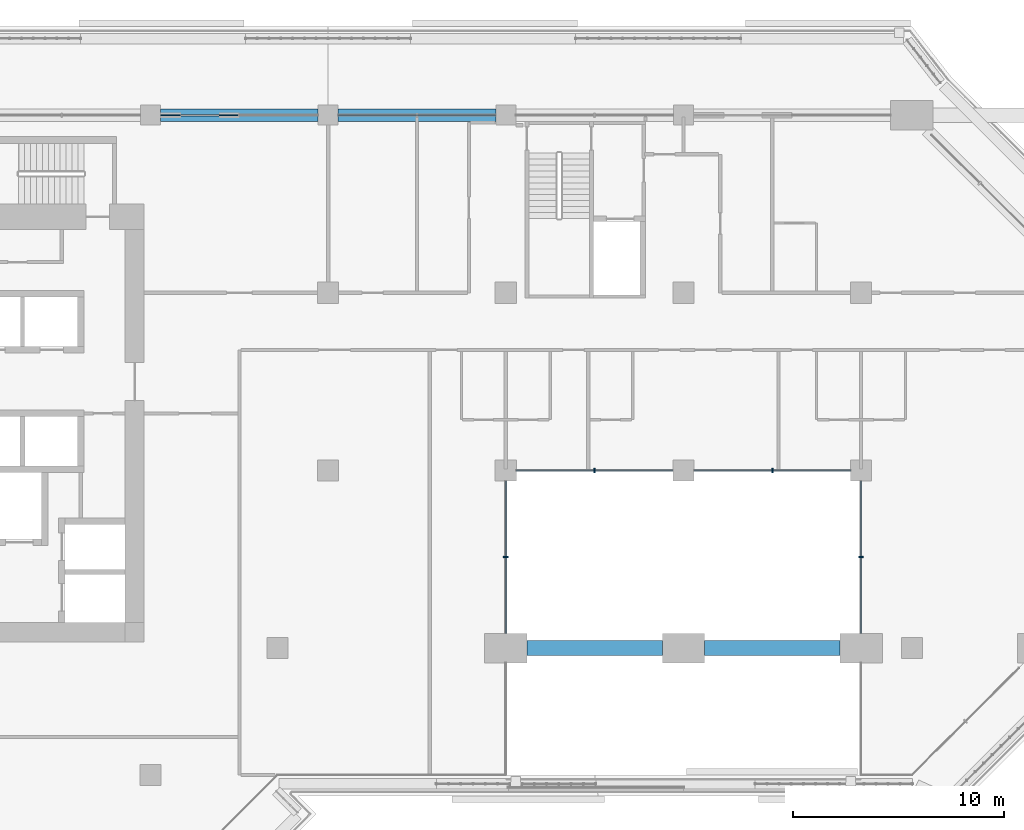
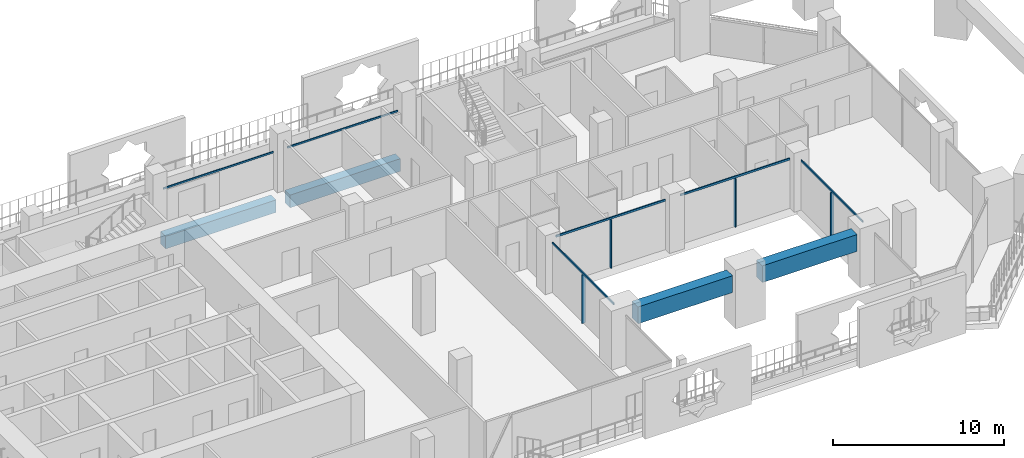
# One storey, part 6 of 23: 10 members, 4 beams, 4 elements without a shape of their own.
"""IFC4 building model written with IfcOpenShell, lengths in metres."""

import ifcopenshell
import ifcopenshell.guid

model = None  # the IFC model being written
_history = None  # IfcOwnerHistory: only IFC2X3 demands one
_inside = {}  # id of a spatial element -> (the spatial element, [elements in it])
_under = {}  # id of a project, library or spatial element -> (it, [spatial elements below it])
_declared = {}  # id of a project -> (the project, [libraries it declares])
_typed = {}  # id of a type object -> (the type object, [elements of that type])
_made_of = {}  # id of a material, layer set ... -> (it, [elements and type objects made of it])


def new_model(schema):
    """Start an empty IFC model of exactly this schema.

    Asked for "IFC4X3", IfcOpenShell would pick the latest addendum, in which some entities
    have other attributes; the version numbers below select the first issue.
    IFC2X3 requires an IfcOwnerHistory on every rooted entity: one is made here for all.
    """
    global model, _history
    if schema == "IFC4X3":
        model = ifcopenshell.file(schema_version=(4, 3, 0, 0))
    else:
        model = ifcopenshell.file(schema=schema)
    _inside.clear()
    _under.clear()
    _declared.clear()
    _typed.clear()
    _made_of.clear()
    _history = None
    if model.schema == "IFC2X3":
        org = make("IfcOrganization", Name="unknown")
        user = make(
            "IfcPersonAndOrganization",
            ThePerson=make("IfcPerson", FamilyName="unknown"),
            TheOrganization=org,
        )
        app = make(
            "IfcApplication",
            ApplicationDeveloper=org,
            Version="unknown",
            ApplicationFullName="unknown",
            ApplicationIdentifier="unknown",
        )
        _history = make(
            "IfcOwnerHistory",
            OwningUser=user,
            OwningApplication=app,
            ChangeAction="ADDED",
            CreationDate=0,
        )
    return model


def make(cls, **values):
    """One entity of the class cls with the attributes given. An attribute that is None is left unset."""
    return model.create_entity(
        cls, **{name: value for name, value in values.items() if value is not None}
    )


def rooted(cls, **values):
    """An entity with a GlobalId (a new one), such as an element, a storey or a relation."""
    return make(cls, GlobalId=ifcopenshell.guid.new(), OwnerHistory=_history, **values)


def si_unit(unit_type, name, prefix=None):
    """IfcSIUnit, for example si_unit("LENGTHUNIT", "METRE", prefix="MILLI")."""
    return make("IfcSIUnit", UnitType=unit_type, Prefix=prefix, Name=name)


def assignment(units):
    """IfcUnitAssignment: the units of a project."""
    return None if units is None else make("IfcUnitAssignment", Units=units)


def point(xyz):
    """IfcCartesianPoint."""
    return None if xyz is None else make("IfcCartesianPoint", Coordinates=xyz)


def direction(xyz):
    """IfcDirection."""
    return None if xyz is None else make("IfcDirection", DirectionRatios=xyz)


def frame(location, z_axis=None, x_axis=None):
    """IfcAxis2Placement3D, a coordinate frame: its origin and axes. An axis left out is left unset."""
    return make(
        "IfcAxis2Placement3D",
        Location=point(location),
        Axis=direction(z_axis),
        RefDirection=direction(x_axis),
    )


def frame_2d(location, x_axis=None):
    """IfcAxis2Placement2D, a coordinate frame in the plane: its origin and x axis."""
    return make(
        "IfcAxis2Placement2D", Location=point(location), RefDirection=direction(x_axis)
    )


def origin():
    """The frame at (0, 0, 0) with its axes left unset."""
    return frame((0.0, 0.0, 0.0))


def origin_2d():
    """The frame at (0, 0) in the plane with its x axis left unset."""
    return frame_2d((0.0, 0.0))


def place(relative_to, where):
    """IfcLocalPlacement: puts the frame where relative to a parent placement (None: the world)."""
    return make(
        "IfcLocalPlacement", PlacementRelTo=relative_to, RelativePlacement=where
    )


def context(
    kind, dimensions, precision=None, world=None, true_north=None, identifier=None
):
    """IfcGeometricRepresentationContext, for example the 3D "Model" context."""
    return make(
        "IfcGeometricRepresentationContext",
        ContextIdentifier=identifier,
        ContextType=kind,
        CoordinateSpaceDimension=dimensions,
        Precision=precision,
        WorldCoordinateSystem=world,
        TrueNorth=true_north,
    )


def subcontext(parent, identifier, kind, view, scale=None):
    """IfcGeometricRepresentationSubContext, for example "Body" below "Model"."""
    return make(
        "IfcGeometricRepresentationSubContext",
        ContextIdentifier=identifier,
        ContextType=kind,
        ParentContext=parent,
        TargetScale=scale,
        TargetView=view,
    )


def project(units=None, contexts=None):
    """IfcProject with its units and contexts."""
    return rooted(
        "IfcProject",
        Name="project",
        RepresentationContexts=contexts,
        UnitsInContext=assignment(units),
    )


def spatial(cls, under=None, at=None, **own):
    """A site, building, storey or space (cls), placed at a placement, below another one or the project."""
    s = rooted(cls, ObjectPlacement=at, **own)
    if under is not None:
        _under.setdefault(under.id(), (under, []))[1].append(s)
    return s


def profile(cls, at=None, kind="AREA", **sizes):
    """A parametric profile (cls). Its sizes go by their IFC names, for example OverallWidth=200.0."""
    return make(cls, ProfileType=kind, Position=at, **sizes)


def rectangle(**sizes):
    """IfcRectangleProfileDef."""
    return profile("IfcRectangleProfileDef", **sizes)


def extrude(swept, where, along, depth):
    """IfcExtrudedAreaSolid: the profile swept, set in the frame where, extruded along a direction by depth."""
    return make(
        "IfcExtrudedAreaSolid",
        SweptArea=swept,
        Position=where,
        ExtrudedDirection=direction(along),
        Depth=depth,
    )


def shape(context_of_items, identifier, shape_type, items):
    """IfcShapeRepresentation: the items that make up one representation, for example the "Body"."""
    return make(
        "IfcShapeRepresentation",
        ContextOfItems=context_of_items,
        RepresentationIdentifier=identifier,
        RepresentationType=shape_type,
        Items=items,
    )


def material(Name=None, Category=None):
    """IfcMaterial."""
    return make("IfcMaterial", Name=Name, Category=Category)


def layer(
    of_material, thickness, ventilated=None, Name=None, Category=None, Priority=None
):
    """IfcMaterialLayer: one layer of a wall or slab, of a material (None: an air gap)."""
    return make(
        "IfcMaterialLayer",
        Material=of_material,
        LayerThickness=thickness,
        IsVentilated=ventilated,
        Name=Name,
        Category=Category,
        Priority=Priority,
    )


def layer_set(layers, Name=None):
    """IfcMaterialLayerSet."""
    return make("IfcMaterialLayerSet", MaterialLayers=layers, LayerSetName=Name)


def material_profile(
    of_material, cross_section, Name=None, Category=None, Priority=None
):
    """IfcMaterialProfile: a cross section and its material."""
    return make(
        "IfcMaterialProfile",
        Name=Name,
        Material=of_material,
        Profile=cross_section,
        Priority=Priority,
        Category=Category,
    )


def profile_set(profiles, Name=None, composite=None):
    """IfcMaterialProfileSet."""
    return make(
        "IfcMaterialProfileSet",
        Name=Name,
        MaterialProfiles=profiles,
        CompositeProfile=composite,
    )


def made_of(thing, what):
    """Note that an element or type object is made of a material, layer set ...; save() writes the relation."""
    if what is not None:
        _made_of.setdefault(what.id(), (what, []))[1].append(thing)
    return thing


def type_object(cls, material=None, **own):
    """A type object (cls), such as IfcWallType, which elements share."""
    return made_of(rooted(cls, **own), material)


def element(
    cls,
    number,
    at=None,
    inside=None,
    cuts=None,
    type_object=None,
    material=None,
    context=None,
    identifier="Body",
    shape_type=None,
    held_by="IfcProductDefinitionShape",
    body=None,
    shapes=None,
    **own,
):
    """One element of the class cls, such as IfcWall. Its Tag is "e" and its number.

    at: its placement. inside: the storey or other place that contains it. cuts: it is an
    opening in that element (IfcRelVoidsElement). A single representation is given by context,
    identifier, shape_type and body (its items); several are given by shapes. held_by: the class
    of the entity that holds the representations. save() writes the other relations.
    """
    e = rooted(cls, Tag="e%d" % number, ObjectPlacement=at, **own)
    if body is not None:
        shapes = [shape(context, identifier, shape_type, body)]
    if shapes is not None:
        e.Representation = make(held_by, Representations=shapes)
    if inside is not None:
        _inside.setdefault(inside.id(), (inside, []))[1].append(e)
    if cuts is not None:
        rooted(
            "IfcRelVoidsElement", RelatingBuildingElement=cuts, RelatedOpeningElement=e
        )
    if type_object is not None:
        _typed.setdefault(type_object.id(), (type_object, []))[1].append(e)
    return made_of(e, material)


def aggregate(whole, parts):
    """IfcRelAggregates: a whole, such as a stair, and the parts it consists of."""
    return rooted("IfcRelAggregates", RelatingObject=whole, RelatedObjects=parts)


def save(model, path):
    """Write the relations noted so far, then the file.

    IfcRelAggregates (storeys below a building ...), IfcRelContainedInSpatialStructure (elements
    in a storey), IfcRelDefinesByType, IfcRelAssociatesMaterial and IfcRelDeclares: one each for
    every whole, place, type object, material and project.
    """
    for whole, parts in _under.values():
        aggregate(whole, parts)
    for where, things in _inside.values():
        rooted(
            "IfcRelContainedInSpatialStructure",
            RelatedElements=things,
            RelatingStructure=where,
        )
    for kind, things in _typed.values():
        rooted("IfcRelDefinesByType", RelatedObjects=things, RelatingType=kind)
    for what, things in _made_of.values():
        rooted("IfcRelAssociatesMaterial", RelatedObjects=things, RelatingMaterial=what)
    for by, libraries in _declared.values():
        rooted("IfcRelDeclares", RelatingContext=by, RelatedDefinitions=libraries)
    model.write(path)


model = new_model("IFC4")

# Units and contexts
model_context = context("Model", 3, precision=1e-05, world=origin(), true_north=direction((0.0, 1.0)))
body_context = subcontext(model_context, "Body", "Model", "MODEL_VIEW")
ifc_project = project(units=[si_unit("LENGTHUNIT", "METRE"), si_unit("AREAUNIT", "SQUARE_METRE"), si_unit("VOLUMEUNIT", "CUBIC_METRE"), si_unit("PLANEANGLEUNIT", "RADIAN"), si_unit("MASSUNIT", "GRAM", prefix="KILO")], contexts=[model_context])

# Site, building, storey
site_placement = place(None, origin())
site = spatial("IfcSite", under=ifc_project, at=site_placement, CompositionType="ELEMENT")
building_placement = place(site_placement, origin())
building = spatial("IfcBuilding", under=site, at=building_placement, Name="Kawkab Arch Medical Tower", CompositionType="ELEMENT")
storey_placement = place(building_placement, frame((0.0, 0.0, 166.800048828125)))
storey = spatial("IfcBuildingStorey", under=building, at=storey_placement, Name="L38", CompositionType="ELEMENT", Elevation=166.800048828125)

# Curtain wall, members
ifc_material_1 = material(Name="Bronze anodised aluminium curtain wall frame", Category="aluminium")
ifc_layer_1 = layer(ifc_material_1, 0.159912109375)
ifc_layer_set_1 = layer_set([ifc_layer_1], Name="Bronze anodised aluminium curtain wall frame")
curtain_wall_type_1 = type_object("IfcCurtainWallType", Name="CW1 ward curtain wall", PredefinedType="NOTDEFINED", material=ifc_layer_set_1)
placement = place(storey_placement, origin())
curtain_wall_1 = element("IfcCurtainWall", 1, at=placement, inside=storey, type_object=curtain_wall_type_1, Name="CW1 Ward curtain wall R09", PredefinedType="NOTDEFINED")
ifc_material_2 = material(Name="Bronze anodised aluminium curtain wall frame", Category="aluminium")
ifc_material_profile_1 = material_profile(ifc_material_2, rectangle(XDim=0.06005859375, YDim=0.1201171875, at=origin_2d()), Name="AL 60x120")
ifc_profile_set_1 = profile_set([ifc_material_profile_1], Name="Bronze anodised aluminium curtain wall frame")
member_type_1 = type_object("IfcMemberType", Name="CW1 transom 120 x 60", PredefinedType="USERDEFINED", material=ifc_profile_set_1)
member_1_placement = place(storey_placement, frame((41.52490234375, 0.0, 2.639892578125), z_axis=(-1.0, 0.0, 0.0), x_axis=(0.0, -1.0, 0.0)))
member_1 = element("IfcMember", 2, at=member_1_placement, type_object=member_type_1, Name="CW1 transom 3", ObjectType="TRANSOM", PredefinedType="USERDEFINED", context=body_context, shape_type="SweptSolid", body=[
    extrude(rectangle(XDim=0.06005859375, YDim=0.1201171875, at=origin_2d()), origin(), (0.0, 0.0, 1.0), 7.449951171875),
])
member_2_placement = place(storey_placement, frame((33.125, 0.0, 2.639892578125), z_axis=(-1.0, 0.0, 0.0), x_axis=(0.0, -1.0, 0.0)))
member_2 = element("IfcMember", 3, at=member_2_placement, type_object=member_type_1, Name="CW1 transom 4", ObjectType="TRANSOM", PredefinedType="USERDEFINED", context=body_context, shape_type="SweptSolid", body=[
    extrude(rectangle(XDim=0.06005859375, YDim=0.1201171875, at=origin_2d()), origin(), (0.0, 0.0, 1.0), 7.449951171875),
])
aggregate(curtain_wall_1, [member_1, member_2])

# Curtain wall, member
ifc_material_3 = material(Name="Bronze anodised aluminium curtain wall frame", Category="aluminium")
ifc_layer_2 = layer(ifc_material_3, 0.159912109375)
ifc_layer_set_2 = layer_set([ifc_layer_2], Name="Bronze anodised aluminium curtain wall frame")
curtain_wall_type_2 = type_object("IfcCurtainWallType", Name="CW3 sky garden curtain wall", PredefinedType="NOTDEFINED", material=ifc_layer_set_2)
curtain_wall_2 = element("IfcCurtainWall", 4, at=placement, inside=storey, type_object=curtain_wall_type_2, Name="CW3 Sky garden curtain wall R02", PredefinedType="NOTDEFINED")
ifc_material_4 = material(Name="Bronze anodised aluminium curtain wall frame", Category="aluminium")
ifc_material_profile_2 = material_profile(ifc_material_4, rectangle(XDim=0.219970703125, YDim=0.070068359375, at=origin_2d()), Name="AL 70x220")
ifc_profile_set_2 = profile_set([ifc_material_profile_2], Name="Bronze anodised aluminium curtain wall frame")
member_type_2 = type_object("IfcMemberType", Name="CW3 mullion 70 x 220", PredefinedType="MULLION", material=ifc_profile_set_2)
member_3_placement = place(storey_placement, frame((42.0, -20.89990234375, 0.0), z_axis=(0.0, 0.0, 1.0), x_axis=(-1.0, 0.0, 0.0)))
member_3 = element("IfcMember", 5, at=member_3_placement, type_object=member_type_2, Name="CW3 mullion 2.1", PredefinedType="MULLION", context=body_context, shape_type="SweptSolid", body=[
    extrude(rectangle(XDim=0.219970703125, YDim=0.070068359375, at=origin_2d()), origin(), (0.0, 0.0, 1.0), 3.4599609375),
])

# Curtain wall, members
curtain_wall_3 = element("IfcCurtainWall", 6, at=placement, inside=storey, type_object=curtain_wall_type_2, Name="CW3 Sky garden curtain wall R03", PredefinedType="NOTDEFINED")
member_4_placement = place(storey_placement, frame((46.199951171875, -16.800048828125, 0.0), z_axis=(0.0, 0.0, 1.0), x_axis=(0.0, 1.0, 0.0)))
member_4 = element("IfcMember", 7, at=member_4_placement, type_object=member_type_2, Name="CW3 mullion 1.1", PredefinedType="MULLION", context=body_context, shape_type="SweptSolid", body=[
    extrude(rectangle(XDim=0.219970703125, YDim=0.070068359375, at=origin_2d()), origin(), (0.0, 0.0, 1.0), 3.4599609375),
])
member_5_placement = place(storey_placement, frame((54.60009765625, -16.800048828125, 0.0), z_axis=(0.0, 0.0, 1.0), x_axis=(0.0, 1.0, 0.0)))
member_5 = element("IfcMember", 8, at=member_5_placement, type_object=member_type_2, Name="CW3 mullion 2.1", PredefinedType="MULLION", context=body_context, shape_type="SweptSolid", body=[
    extrude(rectangle(XDim=0.219970703125, YDim=0.070068359375, at=origin_2d()), origin(), (0.0, 0.0, 1.0), 3.4599609375),
])

# Curtain wall, member
curtain_wall_4 = element("IfcCurtainWall", 9, at=placement, inside=storey, type_object=curtain_wall_type_2, Name="CW3 Sky garden curtain wall R04", PredefinedType="NOTDEFINED")
member_6_placement = place(storey_placement, frame((58.800048828125, -20.89990234375, 0.0), z_axis=(0.0, 0.0, 1.0), x_axis=(1.0, 0.0, 0.0)))
member_6 = element("IfcMember", 10, at=member_6_placement, type_object=member_type_2, Name="CW3 mullion 1.1", PredefinedType="MULLION", context=body_context, shape_type="SweptSolid", body=[
    extrude(rectangle(XDim=0.219970703125, YDim=0.070068359375, at=origin_2d()), origin(), (0.0, 0.0, 1.0), 3.4599609375),
])

# Member
ifc_material_5 = material(Name="Bronze anodised aluminium curtain wall frame", Category="aluminium")
ifc_material_profile_3 = material_profile(ifc_material_5, rectangle(XDim=0.070068359375, YDim=0.139892578125, at=origin_2d()), Name="AL 70x140")
ifc_profile_set_3 = profile_set([ifc_material_profile_3], Name="Bronze anodised aluminium curtain wall frame")
member_type_3 = type_object("IfcMemberType", Name="CW3 transom 140 x 70", PredefinedType="USERDEFINED", material=ifc_profile_set_3)
member_7_placement = place(storey_placement, frame((42.0, -24.5, 3.530029296875), z_axis=(0.0, 1.0, 0.0), x_axis=(-1.0, 0.0, 0.0)))
member_7 = element("IfcMember", 11, at=member_7_placement, type_object=member_type_3, Name="CW3 transom 2", ObjectType="TRANSOM", PredefinedType="USERDEFINED", context=body_context, shape_type="SweptSolid", body=[
    extrude(rectangle(XDim=0.070068359375, YDim=0.139892578125, at=origin_2d()), origin(), (0.0, 0.0, 1.0), 7.199951171875),
])

aggregate(curtain_wall_2, [member_7, member_3])

member_8_placement = place(storey_placement, frame((42.5, -16.800048828125, 3.530029296875), z_axis=(1.0, 0.0, 0.0), x_axis=(0.0, 1.0, 0.0)))
member_8 = element("IfcMember", 12, at=member_8_placement, type_object=member_type_3, Name="CW3 transom 1", ObjectType="TRANSOM", PredefinedType="USERDEFINED", context=body_context, shape_type="SweptSolid", body=[
    extrude(rectangle(XDim=0.070068359375, YDim=0.139892578125, at=origin_2d()), origin(), (0.0, 0.0, 1.0), 7.39990234375),
])

member_9_placement = place(storey_placement, frame((50.89990234375, -16.800048828125, 3.530029296875), z_axis=(1.0, 0.0, 0.0), x_axis=(0.0, 1.0, 0.0)))
member_9 = element("IfcMember", 13, at=member_9_placement, type_object=member_type_3, Name="CW3 transom 2", ObjectType="TRANSOM", PredefinedType="USERDEFINED", context=body_context, shape_type="SweptSolid", body=[
    extrude(rectangle(XDim=0.070068359375, YDim=0.139892578125, at=origin_2d()), origin(), (0.0, 0.0, 1.0), 7.400146484375),
])

aggregate(curtain_wall_3, [member_8, member_4, member_9, member_5])

member_10_placement = place(storey_placement, frame((58.800048828125, -17.300048828125, 3.530029296875), z_axis=(0.0, -1.0, 0.0), x_axis=(1.0, 0.0, 0.0)))
member_10 = element("IfcMember", 14, at=member_10_placement, type_object=member_type_3, Name="CW3 transom 1", ObjectType="TRANSOM", PredefinedType="USERDEFINED", context=body_context, shape_type="SweptSolid", body=[
    extrude(rectangle(XDim=0.070068359375, YDim=0.139892578125, at=origin_2d()), origin(), (0.0, 0.0, 1.0), 7.199951171875),
])

aggregate(curtain_wall_4, [member_10, member_6])

# Beams
ifc_material_6 = material(Name="Concrete C50/60", Category="concrete")
ifc_material_profile_4 = material_profile(ifc_material_6, rectangle(XDim=0.60009765625, YDim=0.89990234375, at=origin_2d()), Name="RC 600x900")
ifc_profile_set_4 = profile_set([ifc_material_profile_4], Name="Concrete C50/60")
beam_type_1 = type_object("IfcBeamType", Name="RC 600x900 beam C50/60", PredefinedType="BEAM", material=ifc_profile_set_4)
for number, where, z_axis, x_axis, name in (
    (15, (25.675048828125, 0.0, -1.050048828125), (1.0, 0.0, 0.0), (0.0, 1.0, 0.0), "Overhang edge beam L38-04"),
    (16, (34.074951171875, 0.0, -1.050048828125), (1.0, 0.0, 0.0), (0.0, 1.0, 0.0), "Overhang edge beam L38-05"),
):
    element("IfcBeam", number, at=place(storey_placement, frame(where, z_axis=z_axis, x_axis=x_axis)), inside=storey, type_object=beam_type_1, Name=name, PredefinedType="BEAM", context=body_context, shape_type="SweptSolid", body=[
        extrude(rectangle(XDim=0.60009765625, YDim=0.89990234375, at=origin_2d()), origin(), (0.0, 0.0, 1.0), 7.449951171875),
    ])
ifc_material_7 = material(Name="Concrete C50/60", Category="concrete")
ifc_material_profile_5 = material_profile(ifc_material_7, rectangle(XDim=0.699951171875, YDim=1.199951171875, at=origin_2d()), Name="RC 700x1200")
ifc_profile_set_5 = profile_set([ifc_material_profile_5], Name="Concrete C50/60")
beam_type_2 = type_object("IfcBeamType", Name="RC 700x1200 beam C50/60", PredefinedType="BEAM", material=ifc_profile_set_5)
beam_1_placement = place(storey_placement, frame((57.800048828125, -25.199951171875, 3.0), z_axis=(-1.0, 0.0, 0.0), x_axis=(0.0, -1.0, 0.0)))
element("IfcBeam", 17, at=beam_1_placement, inside=storey, type_object=beam_type_2, Name="Terrace frame beam TF-L36-2-L39-01", PredefinedType="BEAM", context=body_context, shape_type="SweptSolid", body=[
    extrude(rectangle(XDim=0.699951171875, YDim=1.199951171875, at=origin_2d()), origin(), (0.0, 0.0, 1.0), 6.400146484375),
])
beam_2_placement = place(storey_placement, frame((49.39990234375, -25.199951171875, 3.0), z_axis=(-1.0, 0.0, 0.0), x_axis=(0.0, -1.0, 0.0)))
element("IfcBeam", 18, at=beam_2_placement, inside=storey, type_object=beam_type_2, Name="Terrace frame beam TF-L36-2-L39-02", PredefinedType="BEAM", context=body_context, shape_type="SweptSolid", body=[
    extrude(rectangle(XDim=0.699951171875, YDim=1.199951171875, at=origin_2d()), origin(), (0.0, 0.0, 1.0), 6.39990234375),
])

save(model, "model.ifc")
